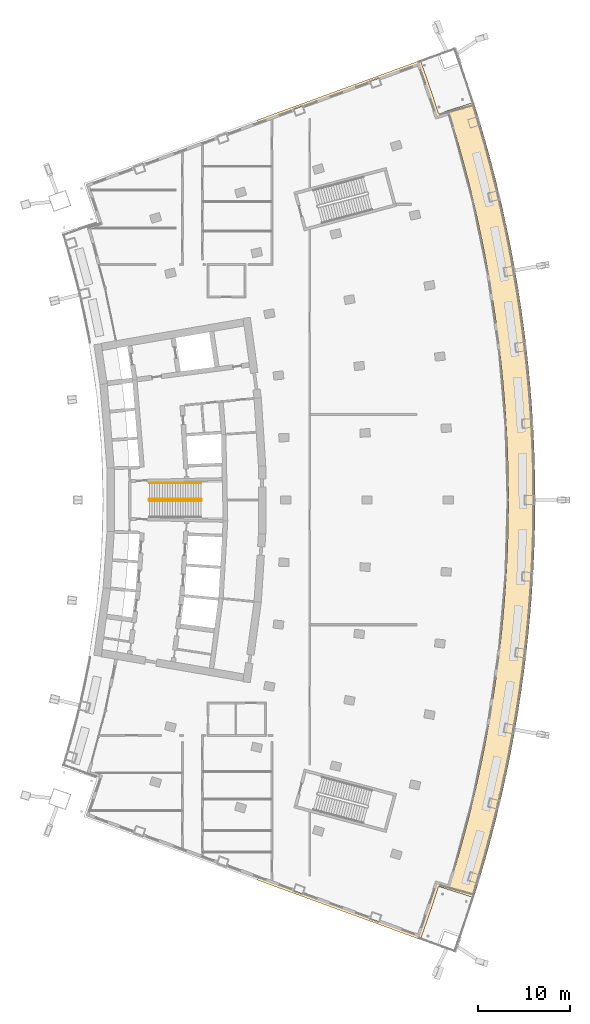
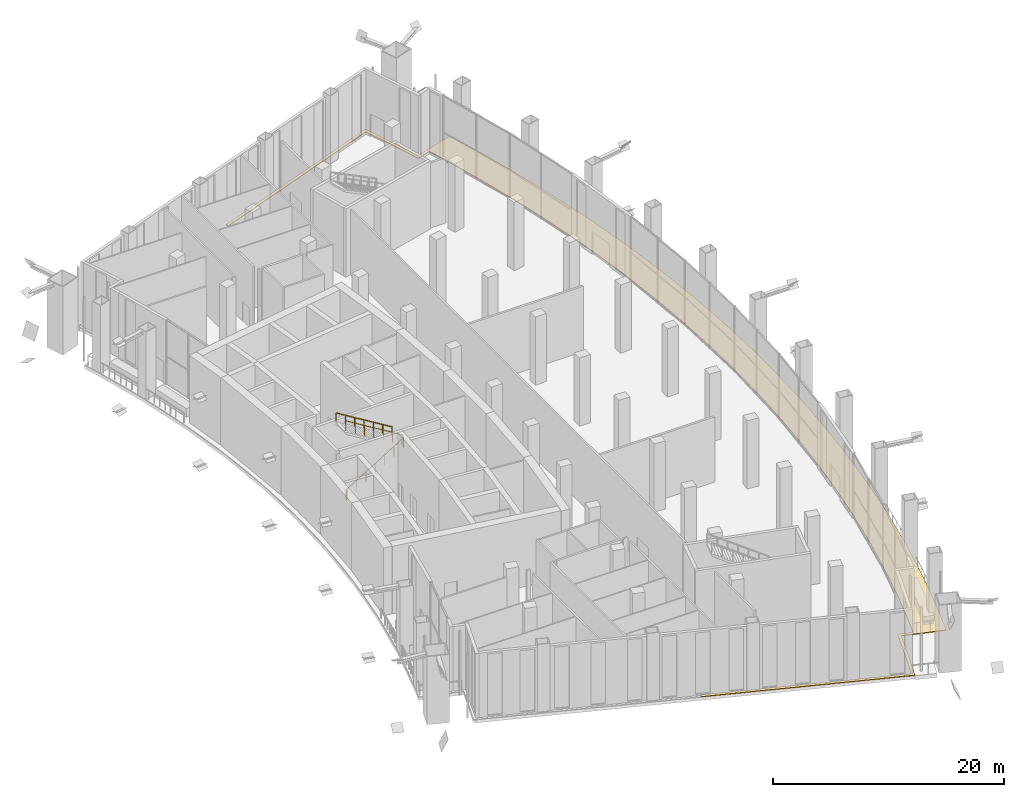
# One storey, part 24 of 27: 2 railings, 1 covering.
"""IFC4 building model written with IfcOpenShell, lengths in metres."""

from ifc_helpers import new_model, si_unit, direction, frame, origin, origin_2d, place, context, subcontext, project, spatial, polyline, rectangle, outline, extrude, material, layer, layer_set, type_object, element, save


model = new_model("IFC4")

# Units and contexts
model_context = context("Model", 3, precision=1e-05, world=origin(), true_north=direction((0.0, 1.0)))
body_context = subcontext(model_context, "Body", "Model", "MODEL_VIEW")
ifc_project = project(units=[si_unit("LENGTHUNIT", "METRE"), si_unit("AREAUNIT", "SQUARE_METRE"), si_unit("VOLUMEUNIT", "CUBIC_METRE"), si_unit("PLANEANGLEUNIT", "RADIAN"), si_unit("MASSUNIT", "GRAM", prefix="KILO")], contexts=[model_context])

# Site, building, storey
site_placement = place(None, origin())
site = spatial("IfcSite", under=ifc_project, at=site_placement, CompositionType="ELEMENT")
building_placement = place(site_placement, origin())
building = spatial("IfcBuilding", under=site, at=building_placement, Name="Alderwake Tower", CompositionType="ELEMENT")
storey_placement = place(building_placement, frame((0.0, 0.0, 75.199951171875)))
storey = spatial("IfcBuildingStorey", under=building, at=storey_placement, Name="L18", CompositionType="ELEMENT", Elevation=75.199951171875)

# Covering
ifc_material_1 = material(Name="Bronze-grey porcelain paving on pedestals")
ifc_layer = layer(ifc_material_1, 0.06005859375)
ifc_layer_set = layer_set([ifc_layer], Name="Garden terrace paving 60")
covering_type = type_object("IfcCoveringType", Name="Garden terrace paving 60", PredefinedType="FLOORING", material=ifc_layer_set)
covering_placement = place(storey_placement, origin())
element("IfcCovering", 1, at=covering_placement, inside=storey, type_object=covering_type, Name="Garden terrace paving front", PredefinedType="FLOORING", context=body_context, shape_type="SweptSolid", body=[
    extrude(outline(polyline([(50.385009765625, 108.59423828125), (32.724609375, 102.147705078125), (32.724609375, 102.147705078125), (32.825439453125, 101.865234375), (50.203857421875, 108.208740234375), (50.78173828125, 106.589111328125), (51.4326171875, 104.677001953125), (52.148193359375, 102.47021484375), (53.47900390625, 102.89111328125), (53.991455078125, 101.22802734375), (54.563720703125, 99.269775390625), (55.107666015625, 97.303466796875), (55.622802734375, 95.329345703125), (56.10888671875, 93.347900390625), (56.566162109375, 91.359619140625), (56.994384765625, 89.364990234375), (57.393310546875, 87.364013671875), (57.76318359375, 85.357666015625), (58.103759765625, 83.34619140625), (58.4150390625, 81.329833984375), (58.69677734375, 79.30908203125), (58.948974609375, 77.28466796875), (59.171630859375, 75.256591796875), (59.36474609375, 73.2255859375), (59.5283203125, 71.19189453125), (59.662109375, 69.15625), (59.76611328125, 67.11865234375), (59.840576171875, 65.079833984375), (59.885009765625, 63.0400390625), (59.89990234375, 61.0), (59.885009765625, 58.9599609375), (59.840576171875, 56.920166015625), (59.76611328125, 54.88134765625), (59.662109375, 52.84375), (59.5283203125, 50.80810546875), (59.36474609375, 48.7744140625), (59.171630859375, 46.743408203125), (58.948974609375, 44.71533203125), (58.69677734375, 42.69091796875), (58.4150390625, 40.670166015625), (58.103759765625, 38.65380859375), (57.76318359375, 36.642333984375), (57.393310546875, 34.635986328125), (56.994384765625, 32.635009765625), (56.566162109375, 30.640380859375), (56.10888671875, 28.652099609375), (55.622802734375, 26.670654296875), (55.107666015625, 24.696533203125), (54.563720703125, 22.730224609375), (53.991455078125, 20.77197265625), (53.47900390625, 19.10888671875), (52.148193359375, 19.52978515625), (51.4326171875, 17.322998046875), (50.78173828125, 15.410888671875), (50.203857421875, 13.791259765625), (32.825439453125, 20.134765625), (32.724609375, 19.852294921875), (32.724609375, 19.852294921875), (50.385009765625, 13.40576171875), (51.065185546875, 15.312255859375), (51.71728515625, 17.228515625), (52.341796875, 19.15380859375), (56.155517578125, 17.947998046875), (56.76904296875, 19.93798828125), (57.353271484375, 21.93701171875), (57.908203125, 23.944091796875), (58.43408203125, 25.958984375), (58.930419921875, 27.9814453125), (59.39697265625, 30.010986328125), (59.833984375, 32.047119140625), (60.241455078125, 34.08935546875), (60.618896484375, 36.137451171875), (60.966552734375, 38.190673828125), (61.2841796875, 40.248779296875), (61.57177734375, 42.311279296875), (61.829345703125, 44.377685546875), (62.056640625, 46.44775390625), (62.253662109375, 48.52099609375), (62.42041015625, 50.5966796875), (62.55712890625, 52.6748046875), (62.663330078125, 54.75439453125), (62.7392578125, 56.835693359375), (62.784912109375, 58.91748046875), (62.800048828125, 61.0), (62.784912109375, 63.08251953125), (62.7392578125, 65.164306640625), (62.663330078125, 67.24560546875), (62.55712890625, 69.3251953125), (62.42041015625, 71.4033203125), (62.253662109375, 73.47900390625), (62.056640625, 75.55224609375), (61.829345703125, 77.622314453125), (61.57177734375, 79.688720703125), (61.2841796875, 81.751220703125), (60.966552734375, 83.809326171875), (60.618896484375, 85.862548828125), (60.241455078125, 87.91064453125), (59.833984375, 89.952880859375), (59.39697265625, 91.989013671875), (58.930419921875, 94.0185546875), (58.43408203125, 96.041015625), (57.908203125, 98.055908203125), (57.353271484375, 100.06298828125), (56.76904296875, 102.06201171875), (56.155517578125, 104.052001953125), (52.341796875, 102.84619140625), (51.71728515625, 104.771484375), (51.065185546875, 106.687744140625), (50.385009765625, 108.59423828125)])), origin(), (0.0, 0.0, 1.0), 0.06005859375),
])

# Railings
ifc_material_2 = material(Name="Stainless steel guard", Category="steel")
railing_type_1 = type_object("IfcRailingType", Name="Stair guard 1100", PredefinedType="GUARDRAIL", material=ifc_material_2)
railing_1_placement = place(storey_placement, frame((20.989990234375, 60.925048828125, 0.0)))
element("IfcRailing", 2, at=railing_1_placement, inside=storey, type_object=railing_type_1, Name="L18 ST-B stair guard 1", PredefinedType="GUARDRAIL", context=body_context, shape_type="SweptSolid", body=[
    extrude(rectangle(XDim=0.048095703125, YDim=0.048095703125, at=origin_2d()), frame((0.0, 0.0, 1.076171875), z_axis=(0.0, 1.0, 0.0), x_axis=(-1.0, 0.0, 0.0)), (0.0, 0.0, 1.0), 0.14990234375),
    extrude(rectangle(XDim=0.048095703125, YDim=0.048095703125, at=origin_2d()), frame((0.0, 0.14990234375, 1.076171875), z_axis=(0.186704180588, -0.74590597025, 0.6393479745), x_axis=(0.970072785993, 0.242814311512, 0.0)), (0.0, 0.0, 1.0), 0.26806640625),
    extrude(rectangle(XDim=0.048095703125, YDim=0.048095703125, at=origin_2d()), frame((0.050048828125, -0.050048828125, 1.24755859375), z_axis=(0.852835759714, 0.0, 0.522179247915), x_axis=(0.0, 1.0, 0.0)), (0.0, 0.0, 1.0), 6.566162109375),
    extrude(rectangle(XDim=0.048095703125, YDim=0.048095703125, at=origin_2d()), frame((5.64990234375, -0.050048828125, 4.67626953125), z_axis=(0.707106781187, 0.707106781187, 0.0), x_axis=(-0.707106781187, 0.707106781187, 0.0)), (0.0, 0.0, 1.0), 0.07080078125),
    extrude(rectangle(XDim=0.048095703125, YDim=0.048095703125, at=origin_2d()), frame((5.699951171875, 0.0, 4.67626953125), z_axis=(0.0, 1.0, 0.0), x_axis=(-1.0, 0.0, 0.0)), (0.0, 0.0, 1.0), 0.14990234375),
    extrude(rectangle(XDim=0.048095703125, YDim=0.048095703125, at=origin_2d()), frame((5.699951171875, 0.14990234375, 4.67626953125), z_axis=(-0.269911200495, 0.269911200495, 0.924281281696), x_axis=(-0.707106781187, -0.707106781187, 0.0)), (0.0, 0.0, 1.0), 0.185546875),
    extrude(rectangle(XDim=0.048095703125, YDim=0.048095703125, at=origin_2d()), frame((5.64990234375, 0.199951171875, 4.84765625), z_axis=(-0.852852317832, 0.0, 0.522152203833), x_axis=(0.0, -1.0, 0.0)), (0.0, 0.0, 1.0), 6.56591796875),
    extrude(rectangle(XDim=0.0419921875, YDim=0.0419921875, at=origin_2d()), frame((0.0, 0.0, 0.0), z_axis=(0.0, 0.0, 1.0), x_axis=(0.0, 1.0, 0.0)), (0.0, 0.0, 1.0), 1.052001953125),
    extrude(rectangle(XDim=0.0419921875, YDim=0.0419921875, at=origin_2d()), frame((0.0, 0.14990234375, 0.0), z_axis=(0.0, 0.0, 1.0), x_axis=(0.242814311512, -0.970072785993, 0.0)), (0.0, 0.0, 1.0), 1.052001953125),
    extrude(rectangle(XDim=0.0419921875, YDim=0.0419921875, at=origin_2d()), frame((0.050048828125, -0.050048828125, 0.17138671875), z_axis=(0.0, 0.0, 1.0), x_axis=(1.0, 0.0, 0.0)), (0.0, 0.0, 1.0), 1.052001953125),
    extrude(rectangle(XDim=0.0419921875, YDim=0.0419921875, at=origin_2d()), frame((0.9833984375, -0.050048828125, 0.742919921875), z_axis=(0.0, 0.0, 1.0), x_axis=(1.0, 0.0, 0.0)), (0.0, 0.0, 1.0), 1.052001953125),
    extrude(rectangle(XDim=0.0419921875, YDim=0.0419921875, at=origin_2d()), frame((1.916748046875, -0.050048828125, 1.314208984375), z_axis=(0.0, 0.0, 1.0), x_axis=(1.0, 0.0, 0.0)), (0.0, 0.0, 1.0), 1.052001953125),
    extrude(rectangle(XDim=0.0419921875, YDim=0.0419921875, at=origin_2d()), frame((2.85009765625, -0.050048828125, 1.8857421875), z_axis=(0.0, 0.0, 1.0), x_axis=(1.0, 0.0, 0.0)), (0.0, 0.0, 1.0), 1.052001953125),
    extrude(rectangle(XDim=0.0419921875, YDim=0.0419921875, at=origin_2d()), frame((3.783203125, -0.050048828125, 2.457275390625), z_axis=(0.0, 0.0, 1.0), x_axis=(1.0, 0.0, 0.0)), (0.0, 0.0, 1.0), 1.052001953125),
    extrude(rectangle(XDim=0.0419921875, YDim=0.0419921875, at=origin_2d()), frame((4.716552734375, -0.050048828125, 3.028564453125), z_axis=(0.0, 0.0, 1.0), x_axis=(1.0, 0.0, 0.0)), (0.0, 0.0, 1.0), 1.052001953125),
    extrude(rectangle(XDim=0.0419921875, YDim=0.0419921875, at=origin_2d()), frame((5.64990234375, -0.050048828125, 3.60009765625), z_axis=(0.0, 0.0, 1.0), x_axis=(0.707106781187, 0.707106781187, 0.0)), (0.0, 0.0, 1.0), 1.052001953125),
    extrude(rectangle(XDim=0.0419921875, YDim=0.0419921875, at=origin_2d()), frame((5.699951171875, 0.0, 3.60009765625), z_axis=(0.0, 0.0, 1.0), x_axis=(0.0, 1.0, 0.0)), (0.0, 0.0, 1.0), 1.052001953125),
    extrude(rectangle(XDim=0.0419921875, YDim=0.0419921875, at=origin_2d()), frame((5.699951171875, 0.14990234375, 3.60009765625), z_axis=(0.0, 0.0, 1.0), x_axis=(-0.707106781187, 0.707106781187, 0.0)), (0.0, 0.0, 1.0), 1.052001953125),
    extrude(rectangle(XDim=0.0419921875, YDim=0.0419921875, at=origin_2d()), frame((5.64990234375, 0.199951171875, 3.771484375), z_axis=(0.0, 0.0, 1.0), x_axis=(-1.0, 0.0, 0.0)), (0.0, 0.0, 1.0), 1.052001953125),
    extrude(rectangle(XDim=0.0419921875, YDim=0.0419921875, at=origin_2d()), frame((4.716552734375, 0.199951171875, 4.3427734375), z_axis=(0.0, 0.0, 1.0), x_axis=(-1.0, 0.0, 0.0)), (0.0, 0.0, 1.0), 1.052001953125),
    extrude(rectangle(XDim=0.0419921875, YDim=0.0419921875, at=origin_2d()), frame((3.783203125, 0.199951171875, 4.914306640625), z_axis=(0.0, 0.0, 1.0), x_axis=(-1.0, 0.0, 0.0)), (0.0, 0.0, 1.0), 1.052001953125),
    extrude(rectangle(XDim=0.0419921875, YDim=0.0419921875, at=origin_2d()), frame((2.85009765625, 0.199951171875, 5.48583984375), z_axis=(0.0, 0.0, 1.0), x_axis=(-1.0, 0.0, 0.0)), (0.0, 0.0, 1.0), 1.052001953125),
    extrude(rectangle(XDim=0.0419921875, YDim=0.0419921875, at=origin_2d()), frame((1.916748046875, 0.199951171875, 6.05712890625), z_axis=(0.0, 0.0, 1.0), x_axis=(-1.0, 0.0, 0.0)), (0.0, 0.0, 1.0), 1.052001953125),
    extrude(rectangle(XDim=0.0419921875, YDim=0.0419921875, at=origin_2d()), frame((0.9833984375, 0.199951171875, 6.62841796875), z_axis=(0.0, 0.0, 1.0), x_axis=(-1.0, 0.0, 0.0)), (0.0, 0.0, 1.0), 1.052001953125),
    extrude(rectangle(XDim=0.0419921875, YDim=0.0419921875, at=origin_2d()), frame((0.050048828125, 0.199951171875, 7.199951171875), z_axis=(0.0, 0.0, 1.0), x_axis=(-1.0, 0.0, 0.0)), (0.0, 0.0, 1.0), 1.052001953125),
])
ifc_material_3 = material(Name="Stainless steel handrail", Category="steel")
railing_type_2 = type_object("IfcRailingType", Name="Stair handrail 900", PredefinedType="HANDRAIL", material=ifc_material_3)
railing_2_placement = place(storey_placement, frame((26.639892578125, 62.824951171875, 3.771484375)))
element("IfcRailing", 3, at=railing_2_placement, inside=storey, type_object=railing_type_2, Name="L18 ST-B stair handrail 2", PredefinedType="HANDRAIL", context=body_context, shape_type="SweptSolid", body=[
    extrude(rectangle(XDim=0.048095703125, YDim=0.048095703125, at=origin_2d()), frame((0.0, 0.0, 0.8759765625), z_axis=(-0.852852317832, 0.0, 0.522152203833), x_axis=(0.0, -1.0, 0.0)), (0.0, 0.0, 1.0), 6.56591796875),
    extrude(rectangle(XDim=0.0419921875, YDim=0.0419921875, at=origin_2d()), frame((0.0, 0.0, 0.0), z_axis=(0.0, 0.0, 1.0), x_axis=(-1.0, 0.0, 0.0)), (0.0, 0.0, 1.0), 0.851806640625),
    extrude(rectangle(XDim=0.0419921875, YDim=0.0419921875, at=origin_2d()), frame((-0.933349609375, 0.0, 0.5712890625), z_axis=(0.0, 0.0, 1.0), x_axis=(-1.0, 0.0, 0.0)), (0.0, 0.0, 1.0), 0.851806640625),
    extrude(rectangle(XDim=0.0419921875, YDim=0.0419921875, at=origin_2d()), frame((-1.86669921875, 0.0, 1.142822265625), z_axis=(0.0, 0.0, 1.0), x_axis=(-1.0, 0.0, 0.0)), (0.0, 0.0, 1.0), 0.851806640625),
    extrude(rectangle(XDim=0.0419921875, YDim=0.0419921875, at=origin_2d()), frame((-2.7998046875, 0.0, 1.71435546875), z_axis=(0.0, 0.0, 1.0), x_axis=(-1.0, 0.0, 0.0)), (0.0, 0.0, 1.0), 0.851806640625),
    extrude(rectangle(XDim=0.0419921875, YDim=0.0419921875, at=origin_2d()), frame((-3.733154296875, 0.0, 2.28564453125), z_axis=(0.0, 0.0, 1.0), x_axis=(-1.0, 0.0, 0.0)), (0.0, 0.0, 1.0), 0.851806640625),
    extrude(rectangle(XDim=0.0419921875, YDim=0.0419921875, at=origin_2d()), frame((-4.66650390625, 0.0, 2.85693359375), z_axis=(0.0, 0.0, 1.0), x_axis=(-1.0, 0.0, 0.0)), (0.0, 0.0, 1.0), 0.851806640625),
    extrude(rectangle(XDim=0.0419921875, YDim=0.0419921875, at=origin_2d()), frame((-5.599853515625, 0.0, 3.428466796875), z_axis=(0.0, 0.0, 1.0), x_axis=(-1.0, 0.0, 0.0)), (0.0, 0.0, 1.0), 0.851806640625),
])

save(model, "model.ifc")
